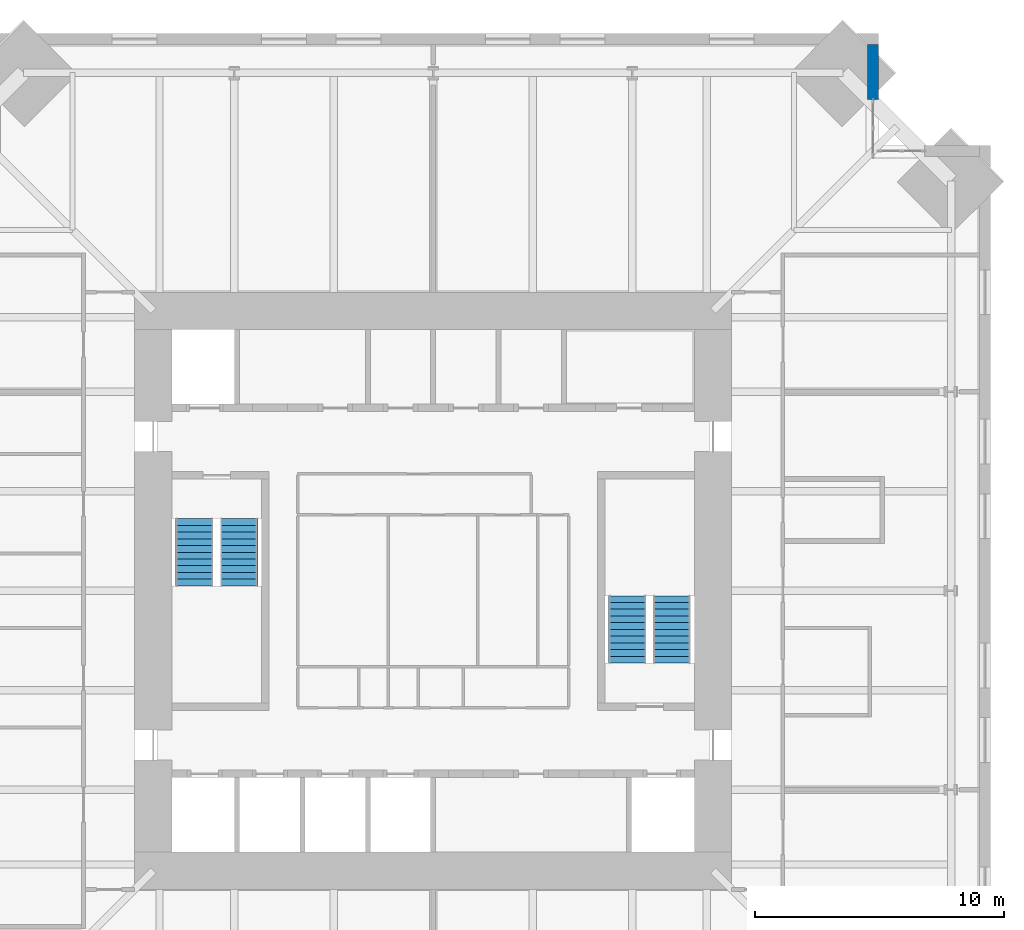
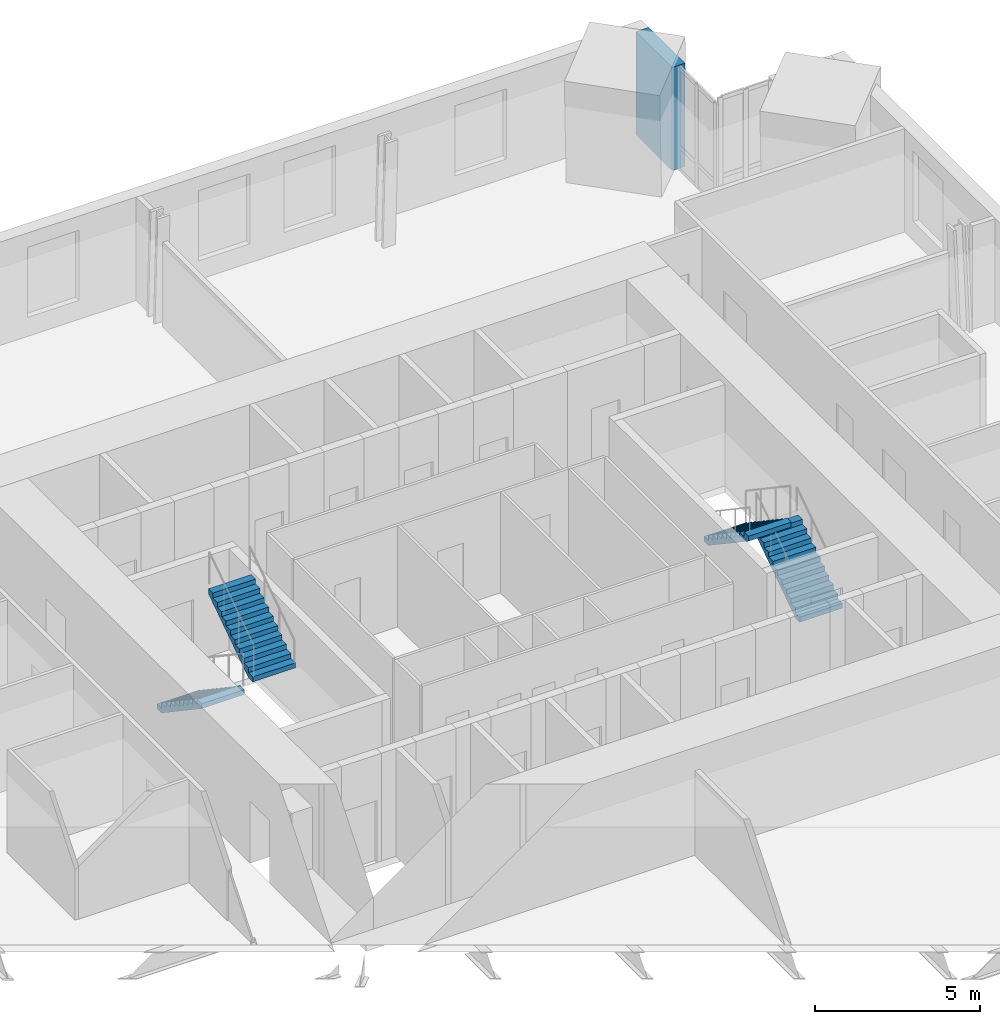
# One storey, part 17 of 18: 4 stair flights, 1 wall, 2 elements without a shape of their own.
"""IFC4 building model written with IfcOpenShell, lengths in metres."""

from ifc_helpers import new_model, si_unit, direction, frame, frame_2d, origin, place, context, subcontext, project, spatial, polyline, rectangle, outline, extrude, material, layer, layer_set, type_object, element, aggregate, save


model = new_model("IFC4")

# Units and contexts
model_context = context("Model", 3, precision=1e-05, world=origin(), true_north=direction((0.0, 1.0)))
body_context = subcontext(model_context, "Body", "Model", "MODEL_VIEW")
ifc_project = project(units=[si_unit("LENGTHUNIT", "METRE"), si_unit("AREAUNIT", "SQUARE_METRE"), si_unit("VOLUMEUNIT", "CUBIC_METRE"), si_unit("PLANEANGLEUNIT", "RADIAN"), si_unit("MASSUNIT", "GRAM", prefix="KILO")], contexts=[model_context])

# Site, building, storey
site_placement = place(None, origin())
site = spatial("IfcSite", under=ifc_project, at=site_placement, CompositionType="ELEMENT")
building_placement = place(site_placement, origin())
building = spatial("IfcBuilding", under=site, at=building_placement, Name="Peilmerk Tower", CompositionType="ELEMENT")
storey_placement = place(building_placement, frame((0.0, 0.0, 249.800048828125)))
storey = spatial("IfcBuildingStorey", under=building, at=storey_placement, Name="L55", CompositionType="ELEMENT", Elevation=249.800048828125)

# Wall
ifc_material_1 = material(Name="Precast concrete C45/55, board-marked finish", Category="concrete")
ifc_layer = layer(ifc_material_1, 0.449951171875)
ifc_layer_set = layer_set([ifc_layer], Name="Precast concrete C45/55, board-marked finish")
wall_type = type_object("IfcWallType", Name="EW1 450 precast concrete facade wall, board-marked", PredefinedType="SOLIDWALL", material=ifc_layer_set)
wall_placement = place(storey_placement, frame((17.675048828125, 19.753662109375, 0.0), z_axis=(0.0, 0.0, 1.0), x_axis=(0.0, 1.0, 0.0)))
element("IfcWall", 1, at=wall_placement, inside=storey, type_object=wall_type, Name="Facade wall NEA L55", PredefinedType="SOLIDWALL", context=body_context, shape_type="SweptSolid", body=[
    extrude(rectangle(XDim=2.1962890625, YDim=0.449951171875, at=frame_2d((1.09814453125, 0.0))), origin(), (0.0, 0.0, 1.0), 3.829833984375),
])

# Stair, stair flights
ifc_material_2 = material(Name="Precast concrete C45/55", Category="concrete")
stair_type_1 = type_object("IfcStairType", Name="ST1 22 risers of 181.8", PredefinedType="HALF_TURN_STAIR", material=ifc_material_2)
stair_1_placement = place(storey_placement, origin())
stair_1 = element("IfcStair", 2, at=stair_1_placement, inside=storey, type_object=stair_type_1, Name="Stair 1 L55 to L56", PredefinedType="HALF_TURN_STAIR")
stair_flight_type = type_object("IfcStairFlightType", Name="SF11 flight, 11 risers of 181.8", PredefinedType="STRAIGHT", material=ifc_material_2)
stair_flight_1_placement = place(storey_placement, frame((-9.60009765625, 2.89990234375, 0.0), z_axis=(0.0, 0.0, 1.0), x_axis=(0.0, -1.0, 0.0)))
stair_flight_1 = element("IfcStairFlight", 3, at=stair_flight_1_placement, type_object=stair_flight_type, Name="ST1 flight 1", NumberOfRisers=11, NumberOfTreads=10, PredefinedType="STRAIGHT", RiserHeight=0.181818182, TreadLength=0.27, context=body_context, shape_type="SweptSolid", body=[
    extrude(outline(polyline([(0.0, 0.0), (0.0, 0.181884765625), (0.27001953125, 0.181884765625), (0.27001953125, 0.363525390625), (0.5400390625, 0.363525390625), (0.5400390625, 0.54541015625), (0.81005859375, 0.54541015625), (0.81005859375, 0.727294921875), (1.080078125, 0.727294921875), (1.080078125, 0.9091796875), (1.35009765625, 0.9091796875), (1.35009765625, 1.0908203125), (1.6201171875, 1.0908203125), (1.6201171875, 1.272705078125), (1.889892578125, 1.272705078125), (1.889892578125, 1.45458984375), (2.159912109375, 1.45458984375), (2.159912109375, 1.636474609375), (2.429931640625, 1.636474609375), (2.429931640625, 1.818115234375), (2.699951171875, 1.818115234375), (2.699951171875, 2.0), (2.699951171875, 1.637451171875), (0.268310546875, 0.0), (0.0, 0.0)])), frame((0.0, 0.75, 0.0), z_axis=(0.0, -1.0, 0.0), x_axis=(1.0, 0.0, 0.0)), (0.0, 0.0, 1.0), 1.5),
])
stair_flight_2_placement = place(storey_placement, frame((-7.800048828125, 0.199951171875, 2.0), z_axis=(0.0, 0.0, 1.0), x_axis=(0.0, 1.0, 0.0)))
stair_flight_2 = element("IfcStairFlight", 4, at=stair_flight_2_placement, type_object=stair_flight_type, Name="ST1 flight 2", NumberOfRisers=11, NumberOfTreads=10, PredefinedType="STRAIGHT", RiserHeight=0.181818182, TreadLength=0.27, context=body_context, shape_type="SweptSolid", body=[
    extrude(outline(polyline([(0.0, 0.0), (0.0, 0.181884765625), (0.27001953125, 0.181884765625), (0.27001953125, 0.363525390625), (0.5400390625, 0.363525390625), (0.5400390625, 0.54541015625), (0.81005859375, 0.54541015625), (0.81005859375, 0.727294921875), (1.080078125, 0.727294921875), (1.080078125, 0.9091796875), (1.35009765625, 0.9091796875), (1.35009765625, 1.0908203125), (1.6201171875, 1.0908203125), (1.6201171875, 1.272705078125), (1.889892578125, 1.272705078125), (1.889892578125, 1.45458984375), (2.159912109375, 1.45458984375), (2.159912109375, 1.636474609375), (2.429931640625, 1.636474609375), (2.429931640625, 1.818115234375), (2.699951171875, 1.818115234375), (2.699951171875, 2.0), (2.699951171875, 1.637451171875), (0.268310546875, 0.0), (0.0, 0.0)])), frame((0.0, 0.75, 0.0), z_axis=(0.0, -1.0, 0.0), x_axis=(1.0, 0.0, 0.0)), (0.0, 0.0, 1.0), 1.5),
])
aggregate(stair_1, [stair_flight_1, stair_flight_2])

stair_type_2 = type_object("IfcStairType", Name="ST2 22 risers of 181.8", PredefinedType="HALF_TURN_STAIR", material=ifc_material_2)
stair_2_placement = place(storey_placement, origin())
stair_2 = element("IfcStair", 5, at=stair_2_placement, inside=storey, type_object=stair_type_2, Name="Stair 2 L55 to L56", PredefinedType="HALF_TURN_STAIR")
stair_flight_3_placement = place(storey_placement, frame((9.60009765625, -2.89990234375, 0.0), z_axis=(0.0, 0.0, 1.0), x_axis=(0.0, 1.0, 0.0)))
stair_flight_3 = element("IfcStairFlight", 6, at=stair_flight_3_placement, type_object=stair_flight_type, Name="ST2 flight 1", NumberOfRisers=11, NumberOfTreads=10, PredefinedType="STRAIGHT", RiserHeight=0.181818182, TreadLength=0.27, context=body_context, shape_type="SweptSolid", body=[
    extrude(outline(polyline([(0.0, 0.0), (0.0, 0.181884765625), (0.27001953125, 0.181884765625), (0.27001953125, 0.363525390625), (0.5400390625, 0.363525390625), (0.5400390625, 0.54541015625), (0.81005859375, 0.54541015625), (0.81005859375, 0.727294921875), (1.080078125, 0.727294921875), (1.080078125, 0.9091796875), (1.35009765625, 0.9091796875), (1.35009765625, 1.0908203125), (1.6201171875, 1.0908203125), (1.6201171875, 1.272705078125), (1.889892578125, 1.272705078125), (1.889892578125, 1.45458984375), (2.159912109375, 1.45458984375), (2.159912109375, 1.636474609375), (2.429931640625, 1.636474609375), (2.429931640625, 1.818115234375), (2.699951171875, 1.818115234375), (2.699951171875, 2.0), (2.699951171875, 1.637451171875), (0.268310546875, 0.0), (0.0, 0.0)])), frame((0.0, 0.75, 0.0), z_axis=(0.0, -1.0, 0.0), x_axis=(1.0, 0.0, 0.0)), (0.0, 0.0, 1.0), 1.5),
])
stair_flight_4_placement = place(storey_placement, frame((7.800048828125, -0.199951171875, 2.0), z_axis=(0.0, 0.0, 1.0), x_axis=(0.0, -1.0, 0.0)))
stair_flight_4 = element("IfcStairFlight", 7, at=stair_flight_4_placement, type_object=stair_flight_type, Name="ST2 flight 2", NumberOfRisers=11, NumberOfTreads=10, PredefinedType="STRAIGHT", RiserHeight=0.181818182, TreadLength=0.27, context=body_context, shape_type="SweptSolid", body=[
    extrude(outline(polyline([(0.0, 0.0), (0.0, 0.181884765625), (0.27001953125, 0.181884765625), (0.27001953125, 0.363525390625), (0.5400390625, 0.363525390625), (0.5400390625, 0.54541015625), (0.81005859375, 0.54541015625), (0.81005859375, 0.727294921875), (1.080078125, 0.727294921875), (1.080078125, 0.9091796875), (1.35009765625, 0.9091796875), (1.35009765625, 1.0908203125), (1.6201171875, 1.0908203125), (1.6201171875, 1.272705078125), (1.889892578125, 1.272705078125), (1.889892578125, 1.45458984375), (2.159912109375, 1.45458984375), (2.159912109375, 1.636474609375), (2.429931640625, 1.636474609375), (2.429931640625, 1.818115234375), (2.699951171875, 1.818115234375), (2.699951171875, 2.0), (2.699951171875, 1.637451171875), (0.268310546875, 0.0), (0.0, 0.0)])), frame((0.0, 0.75, 0.0), z_axis=(0.0, -1.0, 0.0), x_axis=(1.0, 0.0, 0.0)), (0.0, 0.0, 1.0), 1.5),
])
aggregate(stair_2, [stair_flight_3, stair_flight_4])

save(model, "model.ifc")
